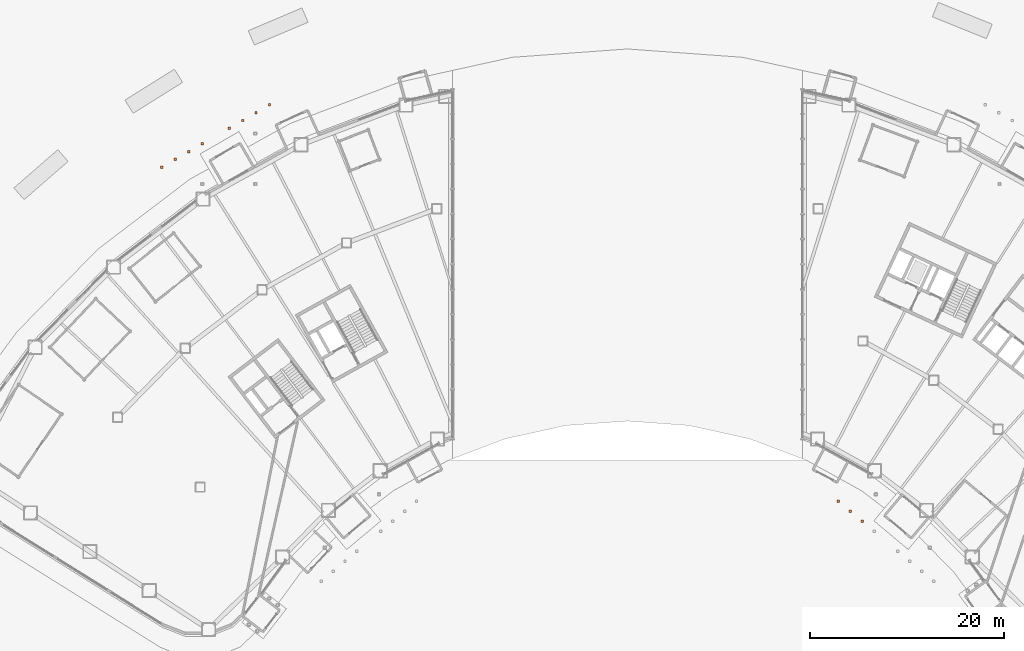
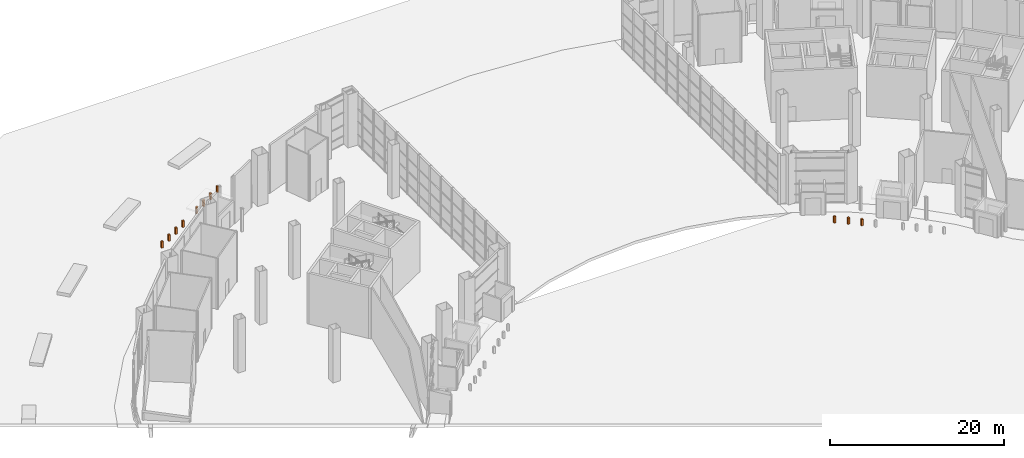
# One storey, part 44 of 45: 11 proxies.
"""IFC4 building model written with IfcOpenShell, lengths in metres."""

import ifcopenshell
import ifcopenshell.guid

model = None  # the IFC model being written
_history = None  # IfcOwnerHistory: only IFC2X3 demands one
_inside = {}  # id of a spatial element -> (the spatial element, [elements in it])
_under = {}  # id of a project, library or spatial element -> (it, [spatial elements below it])
_declared = {}  # id of a project -> (the project, [libraries it declares])
_typed = {}  # id of a type object -> (the type object, [elements of that type])
_made_of = {}  # id of a material, layer set ... -> (it, [elements and type objects made of it])


def new_model(schema):
    """Start an empty IFC model of exactly this schema.

    Asked for "IFC4X3", IfcOpenShell would pick the latest addendum, in which some entities
    have other attributes; the version numbers below select the first issue.
    IFC2X3 requires an IfcOwnerHistory on every rooted entity: one is made here for all.
    """
    global model, _history
    if schema == "IFC4X3":
        model = ifcopenshell.file(schema_version=(4, 3, 0, 0))
    else:
        model = ifcopenshell.file(schema=schema)
    _inside.clear()
    _under.clear()
    _declared.clear()
    _typed.clear()
    _made_of.clear()
    _history = None
    if model.schema == "IFC2X3":
        org = make("IfcOrganization", Name="unknown")
        user = make(
            "IfcPersonAndOrganization",
            ThePerson=make("IfcPerson", FamilyName="unknown"),
            TheOrganization=org,
        )
        app = make(
            "IfcApplication",
            ApplicationDeveloper=org,
            Version="unknown",
            ApplicationFullName="unknown",
            ApplicationIdentifier="unknown",
        )
        _history = make(
            "IfcOwnerHistory",
            OwningUser=user,
            OwningApplication=app,
            ChangeAction="ADDED",
            CreationDate=0,
        )
    return model


def make(cls, **values):
    """One entity of the class cls with the attributes given. An attribute that is None is left unset."""
    return model.create_entity(
        cls, **{name: value for name, value in values.items() if value is not None}
    )


def rooted(cls, **values):
    """An entity with a GlobalId (a new one), such as an element, a storey or a relation."""
    return make(cls, GlobalId=ifcopenshell.guid.new(), OwnerHistory=_history, **values)


def si_unit(unit_type, name, prefix=None):
    """IfcSIUnit, for example si_unit("LENGTHUNIT", "METRE", prefix="MILLI")."""
    return make("IfcSIUnit", UnitType=unit_type, Prefix=prefix, Name=name)


def assignment(units):
    """IfcUnitAssignment: the units of a project."""
    return None if units is None else make("IfcUnitAssignment", Units=units)


def point(xyz):
    """IfcCartesianPoint."""
    return None if xyz is None else make("IfcCartesianPoint", Coordinates=xyz)


def direction(xyz):
    """IfcDirection."""
    return None if xyz is None else make("IfcDirection", DirectionRatios=xyz)


def frame(location, z_axis=None, x_axis=None):
    """IfcAxis2Placement3D, a coordinate frame: its origin and axes. An axis left out is left unset."""
    return make(
        "IfcAxis2Placement3D",
        Location=point(location),
        Axis=direction(z_axis),
        RefDirection=direction(x_axis),
    )


def frame_2d(location, x_axis=None):
    """IfcAxis2Placement2D, a coordinate frame in the plane: its origin and x axis."""
    return make(
        "IfcAxis2Placement2D", Location=point(location), RefDirection=direction(x_axis)
    )


def origin():
    """The frame at (0, 0, 0) with its axes left unset."""
    return frame((0.0, 0.0, 0.0))


def origin_2d():
    """The frame at (0, 0) in the plane with its x axis left unset."""
    return frame_2d((0.0, 0.0))


def place(relative_to, where):
    """IfcLocalPlacement: puts the frame where relative to a parent placement (None: the world)."""
    return make(
        "IfcLocalPlacement", PlacementRelTo=relative_to, RelativePlacement=where
    )


def context(
    kind, dimensions, precision=None, world=None, true_north=None, identifier=None
):
    """IfcGeometricRepresentationContext, for example the 3D "Model" context."""
    return make(
        "IfcGeometricRepresentationContext",
        ContextIdentifier=identifier,
        ContextType=kind,
        CoordinateSpaceDimension=dimensions,
        Precision=precision,
        WorldCoordinateSystem=world,
        TrueNorth=true_north,
    )


def subcontext(parent, identifier, kind, view, scale=None):
    """IfcGeometricRepresentationSubContext, for example "Body" below "Model"."""
    return make(
        "IfcGeometricRepresentationSubContext",
        ContextIdentifier=identifier,
        ContextType=kind,
        ParentContext=parent,
        TargetScale=scale,
        TargetView=view,
    )


def project(units=None, contexts=None):
    """IfcProject with its units and contexts."""
    return rooted(
        "IfcProject",
        Name="project",
        RepresentationContexts=contexts,
        UnitsInContext=assignment(units),
    )


def spatial(cls, under=None, at=None, **own):
    """A site, building, storey or space (cls), placed at a placement, below another one or the project."""
    s = rooted(cls, ObjectPlacement=at, **own)
    if under is not None:
        _under.setdefault(under.id(), (under, []))[1].append(s)
    return s


def profile(cls, at=None, kind="AREA", **sizes):
    """A parametric profile (cls). Its sizes go by their IFC names, for example OverallWidth=200.0."""
    return make(cls, ProfileType=kind, Position=at, **sizes)


def rectangle(**sizes):
    """IfcRectangleProfileDef."""
    return profile("IfcRectangleProfileDef", **sizes)


def extrude(swept, where, along, depth):
    """IfcExtrudedAreaSolid: the profile swept, set in the frame where, extruded along a direction by depth."""
    return make(
        "IfcExtrudedAreaSolid",
        SweptArea=swept,
        Position=where,
        ExtrudedDirection=direction(along),
        Depth=depth,
    )


def shape(context_of_items, identifier, shape_type, items):
    """IfcShapeRepresentation: the items that make up one representation, for example the "Body"."""
    return make(
        "IfcShapeRepresentation",
        ContextOfItems=context_of_items,
        RepresentationIdentifier=identifier,
        RepresentationType=shape_type,
        Items=items,
    )


def material(Name=None, Category=None):
    """IfcMaterial."""
    return make("IfcMaterial", Name=Name, Category=Category)


def made_of(thing, what):
    """Note that an element or type object is made of a material, layer set ...; save() writes the relation."""
    if what is not None:
        _made_of.setdefault(what.id(), (what, []))[1].append(thing)
    return thing


def type_object(cls, material=None, **own):
    """A type object (cls), such as IfcWallType, which elements share."""
    return made_of(rooted(cls, **own), material)


def element(
    cls,
    number,
    at=None,
    inside=None,
    cuts=None,
    type_object=None,
    material=None,
    context=None,
    identifier="Body",
    shape_type=None,
    held_by="IfcProductDefinitionShape",
    body=None,
    shapes=None,
    **own,
):
    """One element of the class cls, such as IfcWall. Its Tag is "e" and its number.

    at: its placement. inside: the storey or other place that contains it. cuts: it is an
    opening in that element (IfcRelVoidsElement). A single representation is given by context,
    identifier, shape_type and body (its items); several are given by shapes. held_by: the class
    of the entity that holds the representations. save() writes the other relations.
    """
    e = rooted(cls, Tag="e%d" % number, ObjectPlacement=at, **own)
    if body is not None:
        shapes = [shape(context, identifier, shape_type, body)]
    if shapes is not None:
        e.Representation = make(held_by, Representations=shapes)
    if inside is not None:
        _inside.setdefault(inside.id(), (inside, []))[1].append(e)
    if cuts is not None:
        rooted(
            "IfcRelVoidsElement", RelatingBuildingElement=cuts, RelatedOpeningElement=e
        )
    if type_object is not None:
        _typed.setdefault(type_object.id(), (type_object, []))[1].append(e)
    return made_of(e, material)


def aggregate(whole, parts):
    """IfcRelAggregates: a whole, such as a stair, and the parts it consists of."""
    return rooted("IfcRelAggregates", RelatingObject=whole, RelatedObjects=parts)


def save(model, path):
    """Write the relations noted so far, then the file.

    IfcRelAggregates (storeys below a building ...), IfcRelContainedInSpatialStructure (elements
    in a storey), IfcRelDefinesByType, IfcRelAssociatesMaterial and IfcRelDeclares: one each for
    every whole, place, type object, material and project.
    """
    for whole, parts in _under.values():
        aggregate(whole, parts)
    for where, things in _inside.values():
        rooted(
            "IfcRelContainedInSpatialStructure",
            RelatedElements=things,
            RelatingStructure=where,
        )
    for kind, things in _typed.values():
        rooted("IfcRelDefinesByType", RelatedObjects=things, RelatingType=kind)
    for what, things in _made_of.values():
        rooted("IfcRelAssociatesMaterial", RelatedObjects=things, RelatingMaterial=what)
    for by, libraries in _declared.values():
        rooted("IfcRelDeclares", RelatingContext=by, RelatedDefinitions=libraries)
    model.write(path)


model = new_model("IFC4")

# Units and contexts
model_context = context("Model", 3, precision=1e-05, world=origin(), true_north=direction((0.0, 1.0)))
body_context = subcontext(model_context, "Body", "Model", "MODEL_VIEW")
ifc_project = project(units=[si_unit("LENGTHUNIT", "METRE"), si_unit("AREAUNIT", "SQUARE_METRE"), si_unit("VOLUMEUNIT", "CUBIC_METRE"), si_unit("PLANEANGLEUNIT", "RADIAN"), si_unit("MASSUNIT", "GRAM", prefix="KILO")], contexts=[model_context])

# Site, building, storey
site_placement = place(None, origin())
site = spatial("IfcSite", under=ifc_project, at=site_placement, CompositionType="ELEMENT")
building_placement = place(site_placement, origin())
building = spatial("IfcBuilding", under=site, at=building_placement, Name="Tuul Gate Civic Tower", CompositionType="ELEMENT")
storey_placement = place(building_placement, origin())
storey = spatial("IfcBuildingStorey", under=building, at=storey_placement, Name="Level 00", CompositionType="ELEMENT", Elevation=0.0)

# Proxies
ifc_material = material(Name="Stainless steel", Category="steel")
building_element_proxy_type = type_object("IfcBuildingElementProxyType", Name="Security bollard", PredefinedType="USERDEFINED", material=ifc_material)
for number, where, z_axis, x_axis, name in (
    (1, (21.71337890625, -24.166259765625, 0.0), (0.0, 0.0, 1.0), (1.0, 0.0, 0.0), "Security bollard"),
    (2, (22.939208984375, -25.19482421875, 0.0), (0.0, 0.0, 1.0), (1.0, 0.0, 0.0), "Security bollard"),
    (3, (24.164794921875, -26.22314453125, 0.0), (0.0, 0.0, 1.0), (1.0, 0.0, 0.0), "Security bollard"),
    (4, (-36.84130859375, 16.61083984375, 0.0), (0.0, 0.0, 1.0), (1.0, 0.0, 0.0), "Security bollard"),
    (5, (-38.226806640625, 15.81103515625, 0.0), (0.0, 0.0, 1.0), (1.0, 0.0, 0.0), "Security bollard"),
    (6, (-39.612548828125, 15.010986328125, 0.0), (0.0, 0.0, 1.0), (1.0, 0.0, 0.0), "Security bollard"),
    (7, (-40.998291015625, 14.2109375, 0.0), (0.0, 0.0, 1.0), (1.0, 0.0, 0.0), "Security bollard"),
    (8, (-43.76953125, 12.61083984375, 0.0), (0.0, 0.0, 1.0), (1.0, 0.0, 0.0), "Security bollard"),
    (9, (-45.155029296875, 11.81103515625, 0.0), (0.0, 0.0, 1.0), (1.0, 0.0, 0.0), "Security bollard"),
    (10, (-46.540771484375, 11.010986328125, 0.0), (0.0, 0.0, 1.0), (1.0, 0.0, 0.0), "Security bollard"),
    (11, (-47.92626953125, 10.2109375, 0.0), (0.0, 0.0, 1.0), (1.0, 0.0, 0.0), "Security bollard"),
):
    element("IfcBuildingElementProxy", number, at=place(storey_placement, frame(where, z_axis=z_axis, x_axis=x_axis)), inside=storey, type_object=building_element_proxy_type, Name=name, ObjectType="BOLLARD", PredefinedType="USERDEFINED", context=body_context, shape_type="SweptSolid", body=[
        extrude(rectangle(XDim=0.25, YDim=0.25, at=origin_2d()), origin(), (0.0, 0.0, 1.0), 0.89990234375),
    ])

save(model, "model.ifc")
